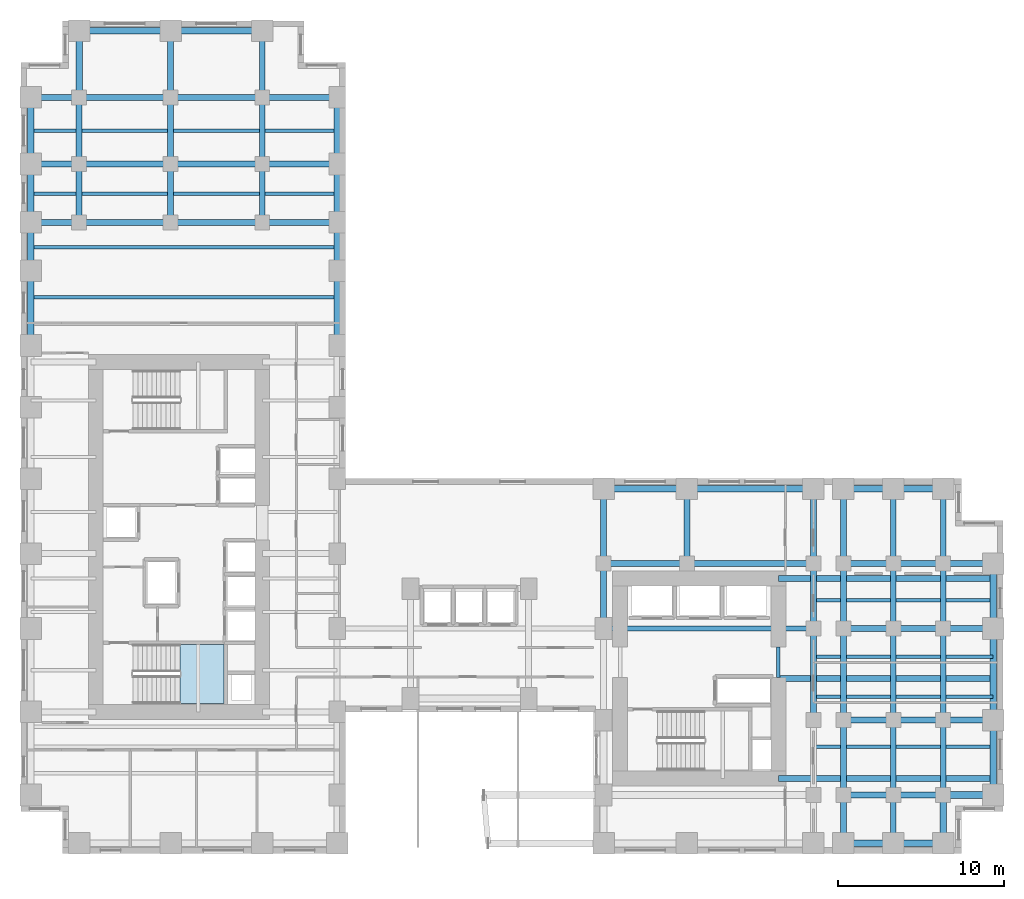
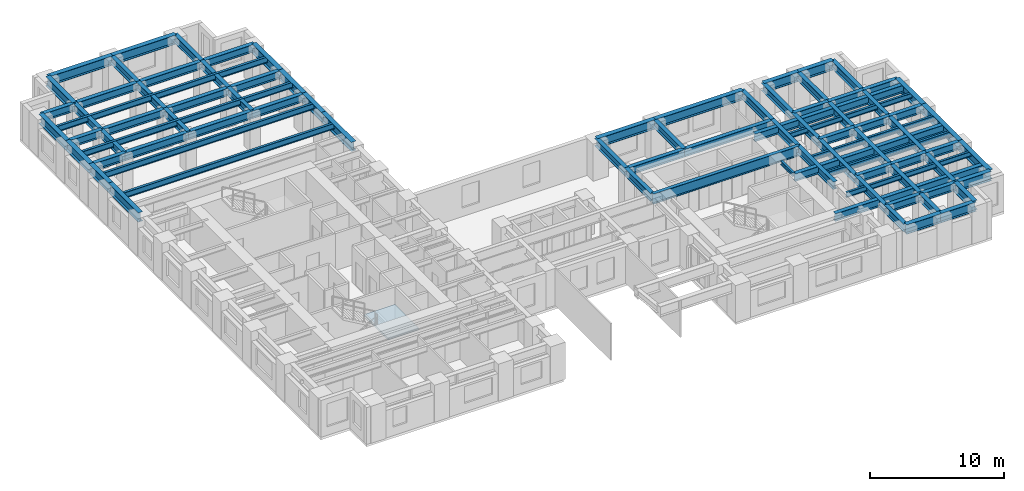
# One storey, part 4 of 14: 88 beams, 1 slab, 1 element without a shape of its own.
"""IFC4 building model written with IfcOpenShell, lengths in metres."""

import ifcopenshell
import ifcopenshell.guid

model = None  # the IFC model being written
_history = None  # IfcOwnerHistory: only IFC2X3 demands one
_inside = {}  # id of a spatial element -> (the spatial element, [elements in it])
_under = {}  # id of a project, library or spatial element -> (it, [spatial elements below it])
_declared = {}  # id of a project -> (the project, [libraries it declares])
_typed = {}  # id of a type object -> (the type object, [elements of that type])
_made_of = {}  # id of a material, layer set ... -> (it, [elements and type objects made of it])


def new_model(schema):
    """Start an empty IFC model of exactly this schema.

    Asked for "IFC4X3", IfcOpenShell would pick the latest addendum, in which some entities
    have other attributes; the version numbers below select the first issue.
    IFC2X3 requires an IfcOwnerHistory on every rooted entity: one is made here for all.
    """
    global model, _history
    if schema == "IFC4X3":
        model = ifcopenshell.file(schema_version=(4, 3, 0, 0))
    else:
        model = ifcopenshell.file(schema=schema)
    _inside.clear()
    _under.clear()
    _declared.clear()
    _typed.clear()
    _made_of.clear()
    _history = None
    if model.schema == "IFC2X3":
        org = make("IfcOrganization", Name="unknown")
        user = make(
            "IfcPersonAndOrganization",
            ThePerson=make("IfcPerson", FamilyName="unknown"),
            TheOrganization=org,
        )
        app = make(
            "IfcApplication",
            ApplicationDeveloper=org,
            Version="unknown",
            ApplicationFullName="unknown",
            ApplicationIdentifier="unknown",
        )
        _history = make(
            "IfcOwnerHistory",
            OwningUser=user,
            OwningApplication=app,
            ChangeAction="ADDED",
            CreationDate=0,
        )
    return model


def make(cls, **values):
    """One entity of the class cls with the attributes given. An attribute that is None is left unset."""
    return model.create_entity(
        cls, **{name: value for name, value in values.items() if value is not None}
    )


def rooted(cls, **values):
    """An entity with a GlobalId (a new one), such as an element, a storey or a relation."""
    return make(cls, GlobalId=ifcopenshell.guid.new(), OwnerHistory=_history, **values)


def si_unit(unit_type, name, prefix=None):
    """IfcSIUnit, for example si_unit("LENGTHUNIT", "METRE", prefix="MILLI")."""
    return make("IfcSIUnit", UnitType=unit_type, Prefix=prefix, Name=name)


def assignment(units):
    """IfcUnitAssignment: the units of a project."""
    return None if units is None else make("IfcUnitAssignment", Units=units)


def point(xyz):
    """IfcCartesianPoint."""
    return None if xyz is None else make("IfcCartesianPoint", Coordinates=xyz)


def direction(xyz):
    """IfcDirection."""
    return None if xyz is None else make("IfcDirection", DirectionRatios=xyz)


def frame(location, z_axis=None, x_axis=None):
    """IfcAxis2Placement3D, a coordinate frame: its origin and axes. An axis left out is left unset."""
    return make(
        "IfcAxis2Placement3D",
        Location=point(location),
        Axis=direction(z_axis),
        RefDirection=direction(x_axis),
    )


def frame_2d(location, x_axis=None):
    """IfcAxis2Placement2D, a coordinate frame in the plane: its origin and x axis."""
    return make(
        "IfcAxis2Placement2D", Location=point(location), RefDirection=direction(x_axis)
    )


def origin():
    """The frame at (0, 0, 0) with its axes left unset."""
    return frame((0.0, 0.0, 0.0))


def origin_2d():
    """The frame at (0, 0) in the plane with its x axis left unset."""
    return frame_2d((0.0, 0.0))


def place(relative_to, where):
    """IfcLocalPlacement: puts the frame where relative to a parent placement (None: the world)."""
    return make(
        "IfcLocalPlacement", PlacementRelTo=relative_to, RelativePlacement=where
    )


def context(
    kind, dimensions, precision=None, world=None, true_north=None, identifier=None
):
    """IfcGeometricRepresentationContext, for example the 3D "Model" context."""
    return make(
        "IfcGeometricRepresentationContext",
        ContextIdentifier=identifier,
        ContextType=kind,
        CoordinateSpaceDimension=dimensions,
        Precision=precision,
        WorldCoordinateSystem=world,
        TrueNorth=true_north,
    )


def subcontext(parent, identifier, kind, view, scale=None):
    """IfcGeometricRepresentationSubContext, for example "Body" below "Model"."""
    return make(
        "IfcGeometricRepresentationSubContext",
        ContextIdentifier=identifier,
        ContextType=kind,
        ParentContext=parent,
        TargetScale=scale,
        TargetView=view,
    )


def project(units=None, contexts=None):
    """IfcProject with its units and contexts."""
    return rooted(
        "IfcProject",
        Name="project",
        RepresentationContexts=contexts,
        UnitsInContext=assignment(units),
    )


def spatial(cls, under=None, at=None, **own):
    """A site, building, storey or space (cls), placed at a placement, below another one or the project."""
    s = rooted(cls, ObjectPlacement=at, **own)
    if under is not None:
        _under.setdefault(under.id(), (under, []))[1].append(s)
    return s


def polyline(points):
    """IfcPolyline through the points."""
    return make("IfcPolyline", Points=[point(p) for p in points])


def profile(cls, at=None, kind="AREA", **sizes):
    """A parametric profile (cls). Its sizes go by their IFC names, for example OverallWidth=200.0."""
    return make(cls, ProfileType=kind, Position=at, **sizes)


def i_section(**sizes):
    """IfcIShapeProfileDef."""
    return profile("IfcIShapeProfileDef", **sizes)


def outline(outer, holes=None, kind="AREA"):
    """IfcArbitraryClosedProfileDef: a profile drawn as a closed curve; with holes, ...WithVoids."""
    if holes is None:
        return make("IfcArbitraryClosedProfileDef", ProfileType=kind, OuterCurve=outer)
    return make(
        "IfcArbitraryProfileDefWithVoids",
        ProfileType=kind,
        OuterCurve=outer,
        InnerCurves=holes,
    )


def extrude(swept, where, along, depth):
    """IfcExtrudedAreaSolid: the profile swept, set in the frame where, extruded along a direction by depth."""
    return make(
        "IfcExtrudedAreaSolid",
        SweptArea=swept,
        Position=where,
        ExtrudedDirection=direction(along),
        Depth=depth,
    )


def shape(context_of_items, identifier, shape_type, items):
    """IfcShapeRepresentation: the items that make up one representation, for example the "Body"."""
    return make(
        "IfcShapeRepresentation",
        ContextOfItems=context_of_items,
        RepresentationIdentifier=identifier,
        RepresentationType=shape_type,
        Items=items,
    )


def source(mapping_origin, context_of_items, identifier, shape_type, items):
    """IfcRepresentationMap: a shape defined once, which mapped items show again and again."""
    return make(
        "IfcRepresentationMap",
        MappingOrigin=mapping_origin,
        MappedRepresentation=shape(context_of_items, identifier, shape_type, items),
    )


def transform(
    local_origin,
    x_axis=None,
    y_axis=None,
    z_axis=None,
    scale=None,
    scale2=None,
    scale3=None,
    uniform=True,
):
    """IfcCartesianTransformationOperator3D, or its non-uniform kind. x_axis, y_axis, z_axis: its Axis1, 2, 3."""
    if uniform:
        return make(
            "IfcCartesianTransformationOperator3D",
            Axis1=direction(x_axis),
            Axis2=direction(y_axis),
            LocalOrigin=point(local_origin),
            Scale=scale,
            Axis3=direction(z_axis),
        )
    return make(
        "IfcCartesianTransformationOperator3DnonUniform",
        Axis1=direction(x_axis),
        Axis2=direction(y_axis),
        LocalOrigin=point(local_origin),
        Scale=scale,
        Axis3=direction(z_axis),
        Scale2=scale2,
        Scale3=scale3,
    )


def mapped(mapping_source, mapping_target):
    """IfcMappedItem: shows the shape of a source again, moved by a transform."""
    return make(
        "IfcMappedItem", MappingSource=mapping_source, MappingTarget=mapping_target
    )


def material(Name=None, Category=None):
    """IfcMaterial."""
    return make("IfcMaterial", Name=Name, Category=Category)


def layer(
    of_material, thickness, ventilated=None, Name=None, Category=None, Priority=None
):
    """IfcMaterialLayer: one layer of a wall or slab, of a material (None: an air gap)."""
    return make(
        "IfcMaterialLayer",
        Material=of_material,
        LayerThickness=thickness,
        IsVentilated=ventilated,
        Name=Name,
        Category=Category,
        Priority=Priority,
    )


def layer_set(layers, Name=None):
    """IfcMaterialLayerSet."""
    return make("IfcMaterialLayerSet", MaterialLayers=layers, LayerSetName=Name)


def material_profile(
    of_material, cross_section, Name=None, Category=None, Priority=None
):
    """IfcMaterialProfile: a cross section and its material."""
    return make(
        "IfcMaterialProfile",
        Name=Name,
        Material=of_material,
        Profile=cross_section,
        Priority=Priority,
        Category=Category,
    )


def profile_set(profiles, Name=None, composite=None):
    """IfcMaterialProfileSet."""
    return make(
        "IfcMaterialProfileSet",
        Name=Name,
        MaterialProfiles=profiles,
        CompositeProfile=composite,
    )


def made_of(thing, what):
    """Note that an element or type object is made of a material, layer set ...; save() writes the relation."""
    if what is not None:
        _made_of.setdefault(what.id(), (what, []))[1].append(thing)
    return thing


def type_object(cls, material=None, **own):
    """A type object (cls), such as IfcWallType, which elements share."""
    return made_of(rooted(cls, **own), material)


def element(
    cls,
    number,
    at=None,
    inside=None,
    cuts=None,
    type_object=None,
    material=None,
    context=None,
    identifier="Body",
    shape_type=None,
    held_by="IfcProductDefinitionShape",
    body=None,
    shapes=None,
    **own,
):
    """One element of the class cls, such as IfcWall. Its Tag is "e" and its number.

    at: its placement. inside: the storey or other place that contains it. cuts: it is an
    opening in that element (IfcRelVoidsElement). A single representation is given by context,
    identifier, shape_type and body (its items); several are given by shapes. held_by: the class
    of the entity that holds the representations. save() writes the other relations.
    """
    e = rooted(cls, Tag="e%d" % number, ObjectPlacement=at, **own)
    if body is not None:
        shapes = [shape(context, identifier, shape_type, body)]
    if shapes is not None:
        e.Representation = make(held_by, Representations=shapes)
    if inside is not None:
        _inside.setdefault(inside.id(), (inside, []))[1].append(e)
    if cuts is not None:
        rooted(
            "IfcRelVoidsElement", RelatingBuildingElement=cuts, RelatedOpeningElement=e
        )
    if type_object is not None:
        _typed.setdefault(type_object.id(), (type_object, []))[1].append(e)
    return made_of(e, material)


def aggregate(whole, parts):
    """IfcRelAggregates: a whole, such as a stair, and the parts it consists of."""
    return rooted("IfcRelAggregates", RelatingObject=whole, RelatedObjects=parts)


def save(model, path):
    """Write the relations noted so far, then the file.

    IfcRelAggregates (storeys below a building ...), IfcRelContainedInSpatialStructure (elements
    in a storey), IfcRelDefinesByType, IfcRelAssociatesMaterial and IfcRelDeclares: one each for
    every whole, place, type object, material and project.
    """
    for whole, parts in _under.values():
        aggregate(whole, parts)
    for where, things in _inside.values():
        rooted(
            "IfcRelContainedInSpatialStructure",
            RelatedElements=things,
            RelatingStructure=where,
        )
    for kind, things in _typed.values():
        rooted("IfcRelDefinesByType", RelatedObjects=things, RelatingType=kind)
    for what, things in _made_of.values():
        rooted("IfcRelAssociatesMaterial", RelatedObjects=things, RelatingMaterial=what)
    for by, libraries in _declared.values():
        rooted("IfcRelDeclares", RelatingContext=by, RelatedDefinitions=libraries)
    model.write(path)


model = new_model("IFC4")

# Units and contexts
model_context = context("Model", 3, precision=1e-05, world=origin(), true_north=direction((0.0, 1.0)))
body_context = subcontext(model_context, "Body", "Model", "MODEL_VIEW")
ifc_project = project(units=[si_unit("LENGTHUNIT", "METRE"), si_unit("AREAUNIT", "SQUARE_METRE"), si_unit("VOLUMEUNIT", "CUBIC_METRE"), si_unit("PLANEANGLEUNIT", "RADIAN"), si_unit("MASSUNIT", "GRAM", prefix="KILO")], contexts=[model_context])

# Site, building, storey
site_placement = place(None, origin())
site = spatial("IfcSite", under=ifc_project, at=site_placement, CompositionType="ELEMENT")
building_placement = place(site_placement, origin())
building = spatial("IfcBuilding", under=site, at=building_placement, Name="Kharzan Plaza Tower", CompositionType="ELEMENT")
storey_placement = place(building_placement, frame((0.0, 0.0, 29.699951171875)))
storey = spatial("IfcBuildingStorey", under=building, at=storey_placement, Name="L07", CompositionType="ELEMENT", Elevation=29.699951171875)

# Beams
ifc_material_1 = material(Name="Steel S355", Category="steel")
ifc_material_profile_1 = material_profile(ifc_material_1, i_section(OverallWidth=0.205078125, OverallDepth=0.35400390625, WebThickness=0.009521484375, FlangeThickness=0.016845703125, at=origin_2d()), Name="W360x79")
ifc_profile_set_1 = profile_set([ifc_material_profile_1], Name="Steel S355")
beam_type_1 = type_object("IfcBeamType", Name="BM-LNT360", PredefinedType="LINTEL", material=ifc_profile_set_1)
shared_shape_1 = source(origin(), body_context, "Body", "SweptSolid", [
    extrude(i_section(OverallWidth=0.205078125, OverallDepth=0.35400390625, WebThickness=0.009521484375, FlangeThickness=0.016845703125, at=origin_2d()), origin(), (0.0, 0.0, 1.0), 1.849853515625),
])
beam_1_placement = place(storey_placement, frame((45.5, 10.550048828125, 3.203125), z_axis=(0.0, 1.0, 0.0), x_axis=(-1.0, 0.0, 0.0)))
element("IfcBeam", 1, at=beam_1_placement, inside=storey, type_object=beam_type_1, Name="L07 CORE-B coupling lintel LN1-WE", PredefinedType="LINTEL", context=body_context, shape_type="MappedRepresentation", body=[
    mapped(shared_shape_1, transform((0.0, 0.0, 0.0), x_axis=(1.0, 0.0, 0.0), y_axis=(0.0, 1.0, 0.0), z_axis=(0.0, 0.0, 1.0))),
])
ifc_material_profile_2 = material_profile(ifc_material_1, i_section(OverallWidth=0.304931640625, OverallDepth=0.9189453125, WebThickness=0.017333984375, FlangeThickness=0.02783203125, at=origin_2d()), Name="W920x253")
ifc_profile_set_2 = profile_set([ifc_material_profile_2], Name="Steel S355")
beam_type_2 = type_object("IfcBeamType", Name="BM-FG920B", PredefinedType="BEAM", material=ifc_profile_set_2)
shared_shape_2 = source(origin(), body_context, "Body", "SweptSolid", [
    extrude(i_section(OverallWidth=0.304931640625, OverallDepth=0.9189453125, WebThickness=0.017333984375, FlangeThickness=0.02783203125, at=origin_2d()), origin(), (0.0, 0.0, 1.0), 12.60009765625),
])
beam_2_placement = place(storey_placement, frame((35.0, 13.5, 2.920654296875), z_axis=(1.0, 0.0, 0.0), x_axis=(0.0, 1.0, 0.0)))
element("IfcBeam", 2, at=beam_2_placement, inside=storey, type_object=beam_type_2, Name="L07 Primary Floor Girder", PredefinedType="BEAM", context=body_context, shape_type="MappedRepresentation", body=[
    mapped(shared_shape_2, transform((0.0, 0.0, 0.0), x_axis=(1.0, 0.0, 0.0), y_axis=(0.0, 1.0, 0.0), z_axis=(0.0, 0.0, 1.0))),
])
ifc_material_profile_3 = material_profile(ifc_material_1, i_section(OverallWidth=0.35498046875, OverallDepth=0.695068359375, WebThickness=0.015380859375, FlangeThickness=0.02490234375, at=origin_2d()), Name="W690x217")
ifc_profile_set_3 = profile_set([ifc_material_profile_3], Name="Steel S355")
beam_type_3 = type_object("IfcBeamType", Name="BM-FG690A", PredefinedType="BEAM", material=ifc_profile_set_3)
shared_shape_3 = source(origin(), body_context, "Body", "SweptSolid", [
    extrude(i_section(OverallWidth=0.35498046875, OverallDepth=0.695068359375, WebThickness=0.015380859375, FlangeThickness=0.02490234375, at=origin_2d()), origin(), (0.0, 0.0, 1.0), 4.5),
])
for number, where, z_axis, x_axis, name in (
    (3, (35.0, 17.39990234375, 3.032470703125), (0.0, 1.0, 0.0), (-1.0, 0.0, 0.0), "L07 Interior Frame Girder"),
    (4, (40.0, 17.39990234375, 3.032470703125), (0.0, 1.0, 0.0), (-1.0, 0.0, 0.0), "L07 Interior Frame Girder"),
    (5, (47.60009765625, 17.39990234375, 3.032470703125), (0.0, 1.0, 0.0), (-1.0, 0.0, 0.0), "L07 Interior Frame Girder"),
    (6, (49.39990234375, 3.5, 3.032470703125), (0.0, 1.0, 0.0), (-1.0, 0.0, 0.0), "L07 Interior Frame Girder"),
    (7, (49.39990234375, 17.39990234375, 3.032470703125), (0.0, 1.0, 0.0), (-1.0, 0.0, 0.0), "L07 Interior Frame Girder"),
    (8, (52.39990234375, 3.5, 3.032470703125), (0.0, 1.0, 0.0), (-1.0, 0.0, 0.0), "L07 Interior Frame Girder"),
    (9, (52.39990234375, 17.39990234375, 3.032470703125), (0.0, 1.0, 0.0), (-1.0, 0.0, 0.0), "L07 Interior Frame Girder"),
    (10, (55.39990234375, 3.5, 3.032470703125), (0.0, 1.0, 0.0), (-1.0, 0.0, 0.0), "L07 Interior Frame Girder"),
    (11, (55.39990234375, 17.39990234375, 3.032470703125), (0.0, 1.0, 0.0), (-1.0, 0.0, 0.0), "L07 Interior Frame Girder"),
    (12, (14.5, 41.39990234375, 3.032470703125), (1.0, 0.0, 0.0), (0.0, 1.0, 0.0), "L07 Primary Floor Girder"),
    (13, (14.5, 45.39990234375, 3.032470703125), (1.0, 0.0, 0.0), (0.0, 1.0, 0.0), "L07 Primary Floor Girder"),
    (14, (14.5, 37.89990234375, 3.032470703125), (1.0, 0.0, 0.0), (0.0, 1.0, 0.0), "L07 Primary Floor Girder"),
):
    element("IfcBeam", number, at=place(storey_placement, frame(where, z_axis=z_axis, x_axis=x_axis)), inside=storey, type_object=beam_type_3, Name=name, PredefinedType="BEAM", context=body_context, shape_type="MappedRepresentation", body=[
        mapped(shared_shape_3, transform((0.0, 0.0, 0.0), x_axis=(1.0, 0.0, 0.0), y_axis=(0.0, 1.0, 0.0), z_axis=(0.0, 0.0, 1.0))),
    ])
shared_shape_4 = source(origin(), body_context, "Body", "SweptSolid", [
    extrude(i_section(OverallWidth=0.35498046875, OverallDepth=0.695068359375, WebThickness=0.015380859375, FlangeThickness=0.02490234375, at=origin_2d()), origin(), (0.0, 0.0, 1.0), 3.89990234375),
])
for number, where, z_axis, x_axis, name in (
    (15, (35.0, 13.5, 3.032470703125), (0.0, 1.0, 0.0), (-1.0, 0.0, 0.0), "L07 Interior Frame Girder"),
    (16, (47.60009765625, 13.5, 3.032470703125), (0.0, 1.0, 0.0), (-1.0, 0.0, 0.0), "L07 Interior Frame Girder"),
    (17, (49.39990234375, 13.5, 3.032470703125), (0.0, 1.0, 0.0), (-1.0, 0.0, 0.0), "L07 Interior Frame Girder"),
    (18, (52.39990234375, 13.5, 3.032470703125), (0.0, 1.0, 0.0), (-1.0, 0.0, 0.0), "L07 Interior Frame Girder"),
    (19, (55.39990234375, 13.5, 3.032470703125), (0.0, 1.0, 0.0), (-1.0, 0.0, 0.0), "L07 Interior Frame Girder"),
):
    element("IfcBeam", number, at=place(storey_placement, frame(where, z_axis=z_axis, x_axis=x_axis)), inside=storey, type_object=beam_type_3, Name=name, PredefinedType="BEAM", context=body_context, shape_type="MappedRepresentation", body=[
        mapped(shared_shape_4, transform((0.0, 0.0, 0.0), x_axis=(1.0, 0.0, 0.0), y_axis=(0.0, 1.0, 0.0), z_axis=(0.0, 0.0, 1.0))),
    ])
shared_shape_5 = source(origin(), body_context, "Body", "SweptSolid", [
    extrude(i_section(OverallWidth=0.35498046875, OverallDepth=0.695068359375, WebThickness=0.015380859375, FlangeThickness=0.02490234375, at=origin_2d()), origin(), (0.0, 0.0, 1.0), 12.89990234375),
])
for number, where, z_axis, x_axis, name in (
    (20, (45.5, 4.5, 3.032470703125), (1.0, 0.0, 0.0), (0.0, 1.0, 0.0), "L07 Core-B East Floor Girder 1"),
    (21, (45.5, 10.5, 3.032470703125), (1.0, 0.0, 0.0), (0.0, 1.0, 0.0), "L07 Core-B East Floor Girder 2"),
    (22, (45.5, 16.5, 3.032470703125), (1.0, 0.0, 0.0), (0.0, 1.0, 0.0), "L07 Core-B East Floor Girder 3"),
):
    element("IfcBeam", number, at=place(storey_placement, frame(where, z_axis=z_axis, x_axis=x_axis)), inside=storey, type_object=beam_type_3, Name=name, PredefinedType="BEAM", context=body_context, shape_type="MappedRepresentation", body=[
        mapped(shared_shape_5, transform((0.0, 0.0, 0.0), x_axis=(1.0, 0.0, 0.0), y_axis=(0.0, 1.0, 0.0), z_axis=(0.0, 0.0, 1.0))),
    ])
shared_shape_6 = source(origin(), body_context, "Body", "SweptSolid", [
    extrude(i_section(OverallWidth=0.35498046875, OverallDepth=0.695068359375, WebThickness=0.015380859375, FlangeThickness=0.02490234375, at=origin_2d()), origin(), (0.0, 0.0, 1.0), 3.5),
])
for number, where, z_axis, x_axis, name in (
    (23, (3.5, 37.89990234375, 3.032470703125), (0.0, 1.0, 0.0), (-1.0, 0.0, 0.0), "L07 Interior Frame Girder"),
    (24, (9.0, 37.89990234375, 3.032470703125), (0.0, 1.0, 0.0), (-1.0, 0.0, 0.0), "L07 Interior Frame Girder"),
    (25, (14.5, 37.89990234375, 3.032470703125), (0.0, 1.0, 0.0), (-1.0, 0.0, 0.0), "L07 Interior Frame Girder"),
):
    element("IfcBeam", number, at=place(storey_placement, frame(where, z_axis=z_axis, x_axis=x_axis)), inside=storey, type_object=beam_type_3, Name=name, PredefinedType="BEAM", context=body_context, shape_type="MappedRepresentation", body=[
        mapped(shared_shape_6, transform((0.0, 0.0, 0.0), x_axis=(1.0, 0.0, 0.0), y_axis=(0.0, 1.0, 0.0), z_axis=(0.0, 0.0, 1.0))),
    ])
shared_shape_7 = source(origin(), body_context, "Body", "SweptSolid", [
    extrude(i_section(OverallWidth=0.35498046875, OverallDepth=0.695068359375, WebThickness=0.015380859375, FlangeThickness=0.02490234375, at=origin_2d()), origin(), (0.0, 0.0, 1.0), 4.0),
])
for number, where, z_axis, x_axis, name in (
    (26, (3.5, 41.39990234375, 3.032470703125), (0.0, 1.0, 0.0), (-1.0, 0.0, 0.0), "L07 Interior Frame Girder"),
    (27, (9.0, 41.39990234375, 3.032470703125), (0.0, 1.0, 0.0), (-1.0, 0.0, 0.0), "L07 Interior Frame Girder"),
    (28, (9.0, 45.39990234375, 3.032470703125), (0.0, 1.0, 0.0), (-1.0, 0.0, 0.0), "L07 Interior Frame Girder"),
    (29, (14.5, 41.39990234375, 3.032470703125), (0.0, 1.0, 0.0), (-1.0, 0.0, 0.0), "L07 Interior Frame Girder"),
    (30, (14.5, 45.39990234375, 3.032470703125), (0.0, 1.0, 0.0), (-1.0, 0.0, 0.0), "L07 Interior Frame Girder"),
):
    element("IfcBeam", number, at=place(storey_placement, frame(where, z_axis=z_axis, x_axis=x_axis)), inside=storey, type_object=beam_type_3, Name=name, PredefinedType="BEAM", context=body_context, shape_type="MappedRepresentation", body=[
        mapped(shared_shape_7, transform((0.0, 0.0, 0.0), x_axis=(1.0, 0.0, 0.0), y_axis=(0.0, 1.0, 0.0), z_axis=(0.0, 0.0, 1.0))),
    ])
shared_shape_8 = source(origin(), body_context, "Body", "SweptSolid", [
    extrude(i_section(OverallWidth=0.35498046875, OverallDepth=0.695068359375, WebThickness=0.015380859375, FlangeThickness=0.02490234375, at=origin_2d()), origin(), (0.0, 0.0, 1.0), 5.0),
])
beam_3_placement = place(storey_placement, frame((35.0, 17.39990234375, 3.032470703125), z_axis=(1.0, 0.0, 0.0), x_axis=(0.0, 1.0, 0.0)))
element("IfcBeam", 31, at=beam_3_placement, inside=storey, type_object=beam_type_3, Name="L07 Primary Floor Girder", PredefinedType="BEAM", context=body_context, shape_type="MappedRepresentation", body=[
    mapped(shared_shape_8, transform((0.0, 0.0, 0.0), x_axis=(1.0, 0.0, 0.0), y_axis=(0.0, 1.0, 0.0), z_axis=(0.0, 0.0, 1.0))),
])
shared_shape_9 = source(origin(), body_context, "Body", "SweptSolid", [
    extrude(i_section(OverallWidth=0.35498046875, OverallDepth=0.695068359375, WebThickness=0.015380859375, FlangeThickness=0.02490234375, at=origin_2d()), origin(), (0.0, 0.0, 1.0), 5.5),
])
for number, where, z_axis, x_axis, name in (
    (32, (47.60009765625, 8.0, 3.032470703125), (0.0, 1.0, 0.0), (-1.0, 0.0, 0.0), "L07 Interior Frame Girder"),
    (33, (49.39990234375, 8.0, 3.032470703125), (0.0, 1.0, 0.0), (-1.0, 0.0, 0.0), "L07 Interior Frame Girder"),
    (34, (52.39990234375, 8.0, 3.032470703125), (0.0, 1.0, 0.0), (-1.0, 0.0, 0.0), "L07 Interior Frame Girder"),
    (35, (55.39990234375, 8.0, 3.032470703125), (0.0, 1.0, 0.0), (-1.0, 0.0, 0.0), "L07 Interior Frame Girder"),
    (36, (3.5, 45.39990234375, 3.032470703125), (1.0, 0.0, 0.0), (0.0, 1.0, 0.0), "L07 Primary Floor Girder"),
    (37, (9.0, 45.39990234375, 3.032470703125), (1.0, 0.0, 0.0), (0.0, 1.0, 0.0), "L07 Primary Floor Girder"),
    (38, (3.5, 37.89990234375, 3.032470703125), (1.0, 0.0, 0.0), (0.0, 1.0, 0.0), "L07 Primary Floor Girder"),
    (39, (9.0, 37.89990234375, 3.032470703125), (1.0, 0.0, 0.0), (0.0, 1.0, 0.0), "L07 Primary Floor Girder"),
    (40, (3.5, 41.39990234375, 3.032470703125), (1.0, 0.0, 0.0), (0.0, 1.0, 0.0), "L07 Primary Floor Girder"),
    (41, (9.0, 41.39990234375, 3.032470703125), (1.0, 0.0, 0.0), (0.0, 1.0, 0.0), "L07 Primary Floor Girder"),
):
    element("IfcBeam", number, at=place(storey_placement, frame(where, z_axis=z_axis, x_axis=x_axis)), inside=storey, type_object=beam_type_3, Name=name, PredefinedType="BEAM", context=body_context, shape_type="MappedRepresentation", body=[
        mapped(shared_shape_9, transform((0.0, 0.0, 0.0), x_axis=(1.0, 0.0, 0.0), y_axis=(0.0, 1.0, 0.0), z_axis=(0.0, 0.0, 1.0))),
    ])
shared_shape_10 = source(origin(), body_context, "Body", "SweptSolid", [
    extrude(i_section(OverallWidth=0.35498046875, OverallDepth=0.695068359375, WebThickness=0.015380859375, FlangeThickness=0.02490234375, at=origin_2d()), origin(), (0.0, 0.0, 1.0), 2.89990234375),
])
for number, where, z_axis, x_axis, name in (
    (42, (49.39990234375, 0.60009765625, 3.032470703125), (0.0, 1.0, 0.0), (-1.0, 0.0, 0.0), "L07 Interior Frame Girder"),
    (43, (52.39990234375, 0.60009765625, 3.032470703125), (0.0, 1.0, 0.0), (-1.0, 0.0, 0.0), "L07 Interior Frame Girder"),
    (44, (0.60009765625, 45.39990234375, 3.032470703125), (1.0, 0.0, 0.0), (0.0, 1.0, 0.0), "L07 Primary Floor Girder"),
    (45, (0.60009765625, 37.89990234375, 3.032470703125), (1.0, 0.0, 0.0), (0.0, 1.0, 0.0), "L07 Primary Floor Girder"),
    (46, (0.60009765625, 41.39990234375, 3.032470703125), (1.0, 0.0, 0.0), (0.0, 1.0, 0.0), "L07 Primary Floor Girder"),
):
    element("IfcBeam", number, at=place(storey_placement, frame(where, z_axis=z_axis, x_axis=x_axis)), inside=storey, type_object=beam_type_3, Name=name, PredefinedType="BEAM", context=body_context, shape_type="MappedRepresentation", body=[
        mapped(shared_shape_10, transform((0.0, 0.0, 0.0), x_axis=(1.0, 0.0, 0.0), y_axis=(0.0, 1.0, 0.0), z_axis=(0.0, 0.0, 1.0))),
    ])
shared_shape_11 = source(origin(), body_context, "Body", "SweptSolid", [
    extrude(i_section(OverallWidth=0.35498046875, OverallDepth=0.695068359375, WebThickness=0.015380859375, FlangeThickness=0.02490234375, at=origin_2d()), origin(), (0.0, 0.0, 1.0), 3.0),
])
for number, where, z_axis, x_axis, name in (
    (47, (49.39990234375, 3.5, 3.032470703125), (1.0, 0.0, 0.0), (0.0, 1.0, 0.0), "L07 Primary Floor Girder"),
    (48, (52.39990234375, 3.5, 3.032470703125), (1.0, 0.0, 0.0), (0.0, 1.0, 0.0), "L07 Primary Floor Girder"),
    (49, (49.39990234375, 8.0, 3.032470703125), (1.0, 0.0, 0.0), (0.0, 1.0, 0.0), "L07 Primary Floor Girder"),
    (50, (52.39990234375, 8.0, 3.032470703125), (1.0, 0.0, 0.0), (0.0, 1.0, 0.0), "L07 Primary Floor Girder"),
    (51, (55.39990234375, 8.0, 3.032470703125), (1.0, 0.0, 0.0), (0.0, 1.0, 0.0), "L07 Primary Floor Girder"),
    (52, (49.39990234375, 13.5, 3.032470703125), (1.0, 0.0, 0.0), (0.0, 1.0, 0.0), "L07 Primary Floor Girder"),
    (53, (52.39990234375, 13.5, 3.032470703125), (1.0, 0.0, 0.0), (0.0, 1.0, 0.0), "L07 Primary Floor Girder"),
    (54, (55.39990234375, 13.5, 3.032470703125), (1.0, 0.0, 0.0), (0.0, 1.0, 0.0), "L07 Primary Floor Girder"),
    (55, (49.39990234375, 17.39990234375, 3.032470703125), (1.0, 0.0, 0.0), (0.0, 1.0, 0.0), "L07 Primary Floor Girder"),
    (56, (52.39990234375, 17.39990234375, 3.032470703125), (1.0, 0.0, 0.0), (0.0, 1.0, 0.0), "L07 Primary Floor Girder"),
    (57, (55.39990234375, 17.39990234375, 3.032470703125), (1.0, 0.0, 0.0), (0.0, 1.0, 0.0), "L07 Primary Floor Girder"),
):
    element("IfcBeam", number, at=place(storey_placement, frame(where, z_axis=z_axis, x_axis=x_axis)), inside=storey, type_object=beam_type_3, Name=name, PredefinedType="BEAM", context=body_context, shape_type="MappedRepresentation", body=[
        mapped(shared_shape_11, transform((0.0, 0.0, 0.0), x_axis=(1.0, 0.0, 0.0), y_axis=(0.0, 1.0, 0.0), z_axis=(0.0, 0.0, 1.0))),
    ])
shared_shape_12 = source(origin(), body_context, "Body", "SweptSolid", [
    extrude(i_section(OverallWidth=0.35498046875, OverallDepth=0.695068359375, WebThickness=0.015380859375, FlangeThickness=0.02490234375, at=origin_2d()), origin(), (0.0, 0.0, 1.0), 7.60009765625),
])
beam_4_placement = place(storey_placement, frame((40.0, 17.39990234375, 3.032470703125), z_axis=(1.0, 0.0, 0.0), x_axis=(0.0, 1.0, 0.0)))
element("IfcBeam", 58, at=beam_4_placement, inside=storey, type_object=beam_type_3, Name="L07 Primary Floor Girder", PredefinedType="BEAM", context=body_context, shape_type="MappedRepresentation", body=[
    mapped(shared_shape_12, transform((0.0, 0.0, 0.0), x_axis=(1.0, 0.0, 0.0), y_axis=(0.0, 1.0, 0.0), z_axis=(0.0, 0.0, 1.0))),
])
ifc_material_profile_4 = material_profile(ifc_material_1, i_section(OverallWidth=0.2099609375, OverallDepth=0.537109375, WebThickness=0.010986328125, FlangeThickness=0.017333984375, at=origin_2d()), Name="W530x101")
ifc_profile_set_4 = profile_set([ifc_material_profile_4], Name="Steel S355")
beam_type_4 = type_object("IfcBeamType", Name="BM-JST530B", PredefinedType="JOIST", material=ifc_profile_set_4)
shared_shape_13 = source(origin(), body_context, "Body", "SweptSolid", [
    extrude(i_section(OverallWidth=0.2099609375, OverallDepth=0.537109375, WebThickness=0.010986328125, FlangeThickness=0.017333984375, at=origin_2d()), origin(), (0.0, 0.0, 1.0), 18.39990234375),
])
for number, where, z_axis, x_axis, name in (
    (59, (0.60009765625, 33.39990234375, 3.111572265625), (1.0, 0.0, 0.0), (0.0, 1.0, 0.0), "L07 Wing A Composite Joist 05"),
    (60, (0.60009765625, 36.39990234375, 3.111572265625), (1.0, 0.0, 0.0), (0.0, 1.0, 0.0), "L07 Wing A Composite Joist 06"),
    (61, (0.60009765625, 39.60009765625, 3.111572265625), (1.0, 0.0, 0.0), (0.0, 1.0, 0.0), "L07 Wing A Composite Joist 07"),
    (62, (0.60009765625, 43.39990234375, 3.111572265625), (1.0, 0.0, 0.0), (0.0, 1.0, 0.0), "L07 Wing A Composite Joist 08"),
):
    element("IfcBeam", number, at=place(storey_placement, frame(where, z_axis=z_axis, x_axis=x_axis)), inside=storey, type_object=beam_type_4, Name=name, PredefinedType="JOIST", context=body_context, shape_type="MappedRepresentation", body=[
        mapped(shared_shape_13, transform((0.0, 0.0, 0.0), x_axis=(1.0, 0.0, 0.0), y_axis=(0.0, 1.0, 0.0), z_axis=(0.0, 0.0, 1.0))),
    ])
ifc_material_profile_5 = material_profile(ifc_material_1, i_section(OverallWidth=0.194091796875, OverallDepth=0.468994140625, WebThickness=0.011474609375, FlangeThickness=0.0205078125, at=origin_2d()), Name="W460x106")
ifc_profile_set_5 = profile_set([ifc_material_profile_5], Name="Steel S355")
beam_type_5 = type_object("IfcBeamType", Name="BM-JST460", PredefinedType="JOIST", material=ifc_profile_set_5)
shared_shape_14 = source(origin(), body_context, "Body", "SweptSolid", [
    extrude(i_section(OverallWidth=0.194091796875, OverallDepth=0.468994140625, WebThickness=0.011474609375, FlangeThickness=0.0205078125, at=origin_2d()), origin(), (0.0, 0.0, 1.0), 10.7998046875),
])
for number, where, z_axis, x_axis, name in (
    (63, (47.60009765625, 6.39990234375, 3.1455078125), (1.0, 0.0, 0.0), (0.0, 1.0, 0.0), "L07 Wing B Composite Joist 02"),
    (64, (47.60009765625, 9.39990234375, 3.1455078125), (1.0, 0.0, 0.0), (0.0, 1.0, 0.0), "L07 Wing B Composite Joist 03"),
    (65, (47.60009765625, 11.800048828125, 3.1455078125), (1.0, 0.0, 0.0), (0.0, 1.0, 0.0), "L07 Wing B Composite Joist 04"),
    (66, (47.60009765625, 15.199951171875, 3.1455078125), (1.0, 0.0, 0.0), (0.0, 1.0, 0.0), "L07 Wing B Composite Joist 05"),
):
    element("IfcBeam", number, at=place(storey_placement, frame(where, z_axis=z_axis, x_axis=x_axis)), inside=storey, type_object=beam_type_5, Name=name, PredefinedType="JOIST", context=body_context, shape_type="MappedRepresentation", body=[
        mapped(shared_shape_14, transform((0.0, 0.0, 0.0), x_axis=(1.0, 0.0, 0.0), y_axis=(0.0, 1.0, 0.0), z_axis=(0.0, 0.0, 1.0))),
    ])
ifc_material_profile_6 = material_profile(ifc_material_1, i_section(OverallWidth=0.40087890625, OverallDepth=0.85498046875, WebThickness=0.018310546875, FlangeThickness=0.029296875, at=origin_2d()), Name="W840x299")
ifc_profile_set_6 = profile_set([ifc_material_profile_6], Name="Steel S355")
beam_type_6 = type_object("IfcBeamType", Name="BM-SP840A", PredefinedType="SPANDREL", material=ifc_profile_set_6)
shared_shape_15 = source(origin(), body_context, "Body", "SweptSolid", [
    extrude(i_section(OverallWidth=0.40087890625, OverallDepth=0.85498046875, WebThickness=0.018310546875, FlangeThickness=0.029296875, at=origin_2d()), origin(), (0.0, 0.0, 1.0), 5.0),
])
beam_5_placement = place(storey_placement, frame((35.0, 21.89990234375, 2.95263671875), z_axis=(1.0, 0.0, 0.0), x_axis=(0.0, 1.0, 0.0)))
element("IfcBeam", 67, at=beam_5_placement, inside=storey, type_object=beam_type_6, Name="L07 Perimeter Tube Spandrel", PredefinedType="SPANDREL", context=body_context, shape_type="MappedRepresentation", body=[
    mapped(shared_shape_15, transform((0.0, 0.0, 0.0), x_axis=(1.0, 0.0, 0.0), y_axis=(0.0, 1.0, 0.0), z_axis=(0.0, 0.0, 1.0))),
])
shared_shape_16 = source(origin(), body_context, "Body", "SweptSolid", [
    extrude(i_section(OverallWidth=0.40087890625, OverallDepth=0.85498046875, WebThickness=0.018310546875, FlangeThickness=0.029296875, at=origin_2d()), origin(), (0.0, 0.0, 1.0), 4.5),
])
for number, where, z_axis, x_axis, name in (
    (68, (0.60009765625, 30.5, 2.95263671875), (0.0, 1.0, 0.0), (-1.0, 0.0, 0.0), "L07 Perimeter Tube Spandrel"),
    (69, (19.0, 30.5, 2.95263671875), (0.0, 1.0, 0.0), (-1.0, 0.0, 0.0), "L07 Perimeter Tube Spandrel"),
    (70, (58.39990234375, 3.5, 2.95263671875), (0.0, 1.0, 0.0), (-1.0, 0.0, 0.0), "L07 Perimeter Tube Spandrel"),
):
    element("IfcBeam", number, at=place(storey_placement, frame(where, z_axis=z_axis, x_axis=x_axis)), inside=storey, type_object=beam_type_6, Name=name, PredefinedType="SPANDREL", context=body_context, shape_type="MappedRepresentation", body=[
        mapped(shared_shape_16, transform((0.0, 0.0, 0.0), x_axis=(1.0, 0.0, 0.0), y_axis=(0.0, 1.0, 0.0), z_axis=(0.0, 0.0, 1.0))),
    ])
shared_shape_17 = source(origin(), body_context, "Body", "SweptSolid", [
    extrude(i_section(OverallWidth=0.40087890625, OverallDepth=0.85498046875, WebThickness=0.018310546875, FlangeThickness=0.029296875, at=origin_2d()), origin(), (0.0, 0.0, 1.0), 2.89990234375),
])
for number, where, z_axis, x_axis, name in (
    (71, (0.60009765625, 35.0, 2.95263671875), (0.0, 1.0, 0.0), (-1.0, 0.0, 0.0), "L07 Perimeter Tube Spandrel"),
    (72, (19.0, 35.0, 2.95263671875), (0.0, 1.0, 0.0), (-1.0, 0.0, 0.0), "L07 Perimeter Tube Spandrel"),
    (73, (55.39990234375, 0.60009765625, 2.95263671875), (0.0, 1.0, 0.0), (-1.0, 0.0, 0.0), "L07 Perimeter Tube Spandrel"),
):
    element("IfcBeam", number, at=place(storey_placement, frame(where, z_axis=z_axis, x_axis=x_axis)), inside=storey, type_object=beam_type_6, Name=name, PredefinedType="SPANDREL", context=body_context, shape_type="MappedRepresentation", body=[
        mapped(shared_shape_17, transform((0.0, 0.0, 0.0), x_axis=(1.0, 0.0, 0.0), y_axis=(0.0, 1.0, 0.0), z_axis=(0.0, 0.0, 1.0))),
    ])
shared_shape_18 = source(origin(), body_context, "Body", "SweptSolid", [
    extrude(i_section(OverallWidth=0.40087890625, OverallDepth=0.85498046875, WebThickness=0.018310546875, FlangeThickness=0.029296875, at=origin_2d()), origin(), (0.0, 0.0, 1.0), 3.5),
])
for number, where, z_axis, x_axis, name in (
    (74, (0.60009765625, 37.89990234375, 2.95263671875), (0.0, 1.0, 0.0), (-1.0, 0.0, 0.0), "L07 Perimeter Tube Spandrel"),
    (75, (19.0, 37.89990234375, 2.95263671875), (0.0, 1.0, 0.0), (-1.0, 0.0, 0.0), "L07 Perimeter Tube Spandrel"),
):
    element("IfcBeam", number, at=place(storey_placement, frame(where, z_axis=z_axis, x_axis=x_axis)), inside=storey, type_object=beam_type_6, Name=name, PredefinedType="SPANDREL", context=body_context, shape_type="MappedRepresentation", body=[
        mapped(shared_shape_18, transform((0.0, 0.0, 0.0), x_axis=(1.0, 0.0, 0.0), y_axis=(0.0, 1.0, 0.0), z_axis=(0.0, 0.0, 1.0))),
    ])
shared_shape_19 = source(origin(), body_context, "Body", "SweptSolid", [
    extrude(i_section(OverallWidth=0.40087890625, OverallDepth=0.85498046875, WebThickness=0.018310546875, FlangeThickness=0.029296875, at=origin_2d()), origin(), (0.0, 0.0, 1.0), 4.0),
])
for number, where, z_axis, x_axis, name in (
    (76, (0.60009765625, 41.39990234375, 2.95263671875), (0.0, 1.0, 0.0), (-1.0, 0.0, 0.0), "L07 Perimeter Tube Spandrel"),
    (77, (3.5, 45.39990234375, 2.95263671875), (0.0, 1.0, 0.0), (-1.0, 0.0, 0.0), "L07 Perimeter Tube Spandrel"),
    (78, (19.0, 41.39990234375, 2.95263671875), (0.0, 1.0, 0.0), (-1.0, 0.0, 0.0), "L07 Perimeter Tube Spandrel"),
):
    element("IfcBeam", number, at=place(storey_placement, frame(where, z_axis=z_axis, x_axis=x_axis)), inside=storey, type_object=beam_type_6, Name=name, PredefinedType="SPANDREL", context=body_context, shape_type="MappedRepresentation", body=[
        mapped(shared_shape_19, transform((0.0, 0.0, 0.0), x_axis=(1.0, 0.0, 0.0), y_axis=(0.0, 1.0, 0.0), z_axis=(0.0, 0.0, 1.0))),
    ])
shared_shape_20 = source(origin(), body_context, "Body", "SweptSolid", [
    extrude(i_section(OverallWidth=0.40087890625, OverallDepth=0.85498046875, WebThickness=0.018310546875, FlangeThickness=0.029296875, at=origin_2d()), origin(), (0.0, 0.0, 1.0), 5.5),
])
for number, where, z_axis, x_axis, name in (
    (79, (58.39990234375, 8.0, 2.95263671875), (0.0, 1.0, 0.0), (-1.0, 0.0, 0.0), "L07 Perimeter Tube Spandrel"),
    (80, (3.5, 49.39990234375, 2.95263671875), (1.0, 0.0, 0.0), (0.0, 1.0, 0.0), "L07 Perimeter Tube Spandrel"),
    (81, (9.0, 49.39990234375, 2.95263671875), (1.0, 0.0, 0.0), (0.0, 1.0, 0.0), "L07 Perimeter Tube Spandrel"),
):
    element("IfcBeam", number, at=place(storey_placement, frame(where, z_axis=z_axis, x_axis=x_axis)), inside=storey, type_object=beam_type_6, Name=name, PredefinedType="SPANDREL", context=body_context, shape_type="MappedRepresentation", body=[
        mapped(shared_shape_20, transform((0.0, 0.0, 0.0), x_axis=(1.0, 0.0, 0.0), y_axis=(0.0, 1.0, 0.0), z_axis=(0.0, 0.0, 1.0))),
    ])
shared_shape_21 = source(origin(), body_context, "Body", "SweptSolid", [
    extrude(i_section(OverallWidth=0.40087890625, OverallDepth=0.85498046875, WebThickness=0.018310546875, FlangeThickness=0.029296875, at=origin_2d()), origin(), (0.0, 0.0, 1.0), 3.89990234375),
])
beam_6_placement = place(storey_placement, frame((58.39990234375, 13.5, 2.95263671875), z_axis=(0.0, 1.0, 0.0), x_axis=(-1.0, 0.0, 0.0)))
element("IfcBeam", 82, at=beam_6_placement, inside=storey, type_object=beam_type_6, Name="L07 Perimeter Tube Spandrel", PredefinedType="SPANDREL", context=body_context, shape_type="MappedRepresentation", body=[
    mapped(shared_shape_21, transform((0.0, 0.0, 0.0), x_axis=(1.0, 0.0, 0.0), y_axis=(0.0, 1.0, 0.0), z_axis=(0.0, 0.0, 1.0))),
])
shared_shape_22 = source(origin(), body_context, "Body", "SweptSolid", [
    extrude(i_section(OverallWidth=0.40087890625, OverallDepth=0.85498046875, WebThickness=0.018310546875, FlangeThickness=0.029296875, at=origin_2d()), origin(), (0.0, 0.0, 1.0), 7.60009765625),
])
beam_7_placement = place(storey_placement, frame((40.0, 21.89990234375, 2.95263671875), z_axis=(1.0, 0.0, 0.0), x_axis=(0.0, 1.0, 0.0)))
element("IfcBeam", 83, at=beam_7_placement, inside=storey, type_object=beam_type_6, Name="L07 Perimeter Tube Spandrel", PredefinedType="SPANDREL", context=body_context, shape_type="MappedRepresentation", body=[
    mapped(shared_shape_22, transform((0.0, 0.0, 0.0), x_axis=(1.0, 0.0, 0.0), y_axis=(0.0, 1.0, 0.0), z_axis=(0.0, 0.0, 1.0))),
])
shared_shape_23 = source(origin(), body_context, "Body", "SweptSolid", [
    extrude(i_section(OverallWidth=0.40087890625, OverallDepth=0.85498046875, WebThickness=0.018310546875, FlangeThickness=0.029296875, at=origin_2d()), origin(), (0.0, 0.0, 1.0), 3.0),
])
for number, where, z_axis, x_axis, name in (
    (84, (49.39990234375, 0.60009765625, 2.95263671875), (1.0, 0.0, 0.0), (0.0, 1.0, 0.0), "L07 Perimeter Tube Spandrel"),
    (85, (52.39990234375, 0.60009765625, 2.95263671875), (1.0, 0.0, 0.0), (0.0, 1.0, 0.0), "L07 Perimeter Tube Spandrel"),
    (86, (55.39990234375, 3.5, 2.95263671875), (1.0, 0.0, 0.0), (0.0, 1.0, 0.0), "L07 Perimeter Tube Spandrel"),
    (87, (49.39990234375, 21.89990234375, 2.95263671875), (1.0, 0.0, 0.0), (0.0, 1.0, 0.0), "L07 Perimeter Tube Spandrel"),
    (88, (52.39990234375, 21.89990234375, 2.95263671875), (1.0, 0.0, 0.0), (0.0, 1.0, 0.0), "L07 Perimeter Tube Spandrel"),
):
    element("IfcBeam", number, at=place(storey_placement, frame(where, z_axis=z_axis, x_axis=x_axis)), inside=storey, type_object=beam_type_6, Name=name, PredefinedType="SPANDREL", context=body_context, shape_type="MappedRepresentation", body=[
        mapped(shared_shape_23, transform((0.0, 0.0, 0.0), x_axis=(1.0, 0.0, 0.0), y_axis=(0.0, 1.0, 0.0), z_axis=(0.0, 0.0, 1.0))),
    ])

# Stair, slab
ifc_material_2 = material(Name="Concrete C40/50", Category="concrete")
stair_type = type_object("IfcStairType", Name="STR-ST-1", PredefinedType="HALF_TURN_STAIR", material=ifc_material_2)
stair_placement = place(storey_placement, origin())
stair = element("IfcStair", 89, at=stair_placement, inside=storey, type_object=stair_type, Name="L07 Protected Exit Stair ST-1", PredefinedType="HALF_TURN_STAIR")
ifc_layer = layer(ifc_material_2, 0.219970703125)
ifc_layer_set = layer_set([ifc_layer], Name="Concrete C40/50")
slab_type = type_object("IfcSlabType", Name="SL-LANDING-220", PredefinedType="LANDING", material=ifc_layer_set)
slab_placement = place(storey_placement, frame((0.0, 0.0, 1.60009765625)))
slab = element("IfcSlab", 90, at=slab_placement, type_object=slab_type, Name="ST-1 landing 1", PredefinedType="LANDING", context=body_context, shape_type="SweptSolid", body=[
    extrude(outline(polyline([(9.550048828125, 9.0), (12.199951171875, 9.0), (12.199951171875, 12.550048828125), (9.550048828125, 12.550048828125), (9.550048828125, 9.0)])), origin(), (0.0, 0.0, 1.0), 0.199951171875),
])
aggregate(stair, [slab])

save(model, "model.ifc")
